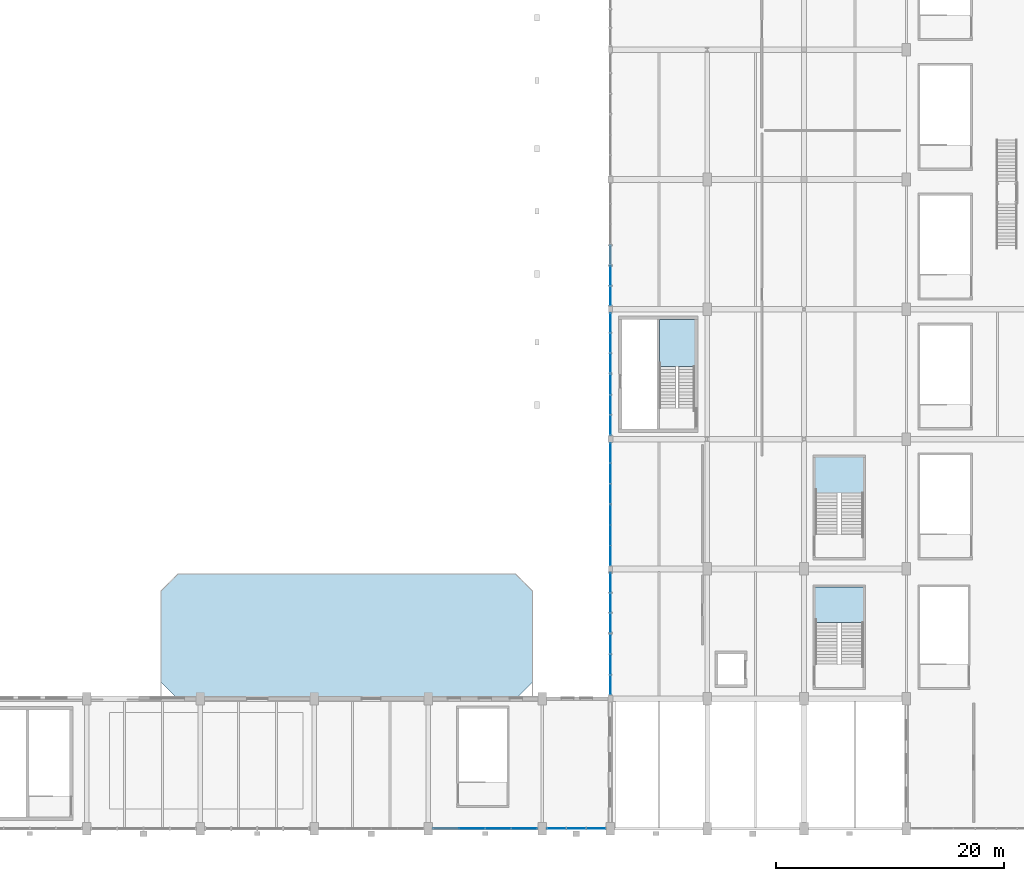
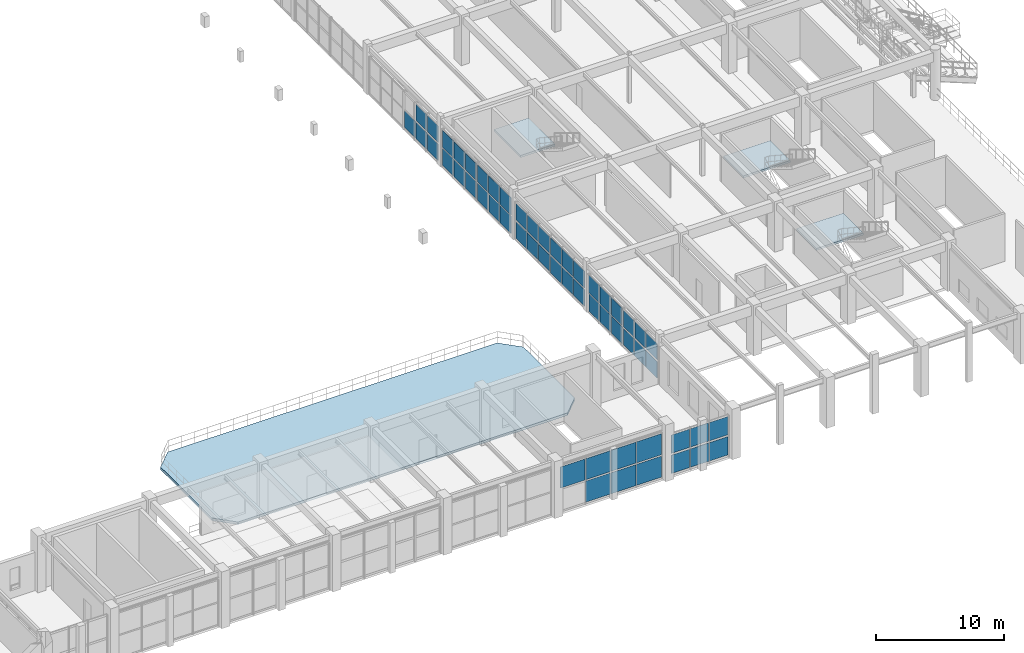
# One storey, part 70 of 106: 54 plates, 4 slabs, 12 elements without a shape of their own.
"""IFC4 building model written with IfcOpenShell, lengths in metres."""

from ifc_helpers import new_model, si_unit, direction, frame, origin, origin_2d, place, context, subcontext, project, spatial, polyline, rectangle, outline, extrude, material, layer, layer_set, type_object, element, aggregate, save


model = new_model("IFC4")

# Units and contexts
model_context = context("Model", 3, precision=1e-05, world=origin(), true_north=direction((0.0, 1.0)))
body_context = subcontext(model_context, "Body", "Model", "MODEL_VIEW")
ifc_project = project(units=[si_unit("LENGTHUNIT", "METRE"), si_unit("AREAUNIT", "SQUARE_METRE"), si_unit("VOLUMEUNIT", "CUBIC_METRE"), si_unit("PLANEANGLEUNIT", "RADIAN"), si_unit("MASSUNIT", "GRAM", prefix="KILO"), si_unit("POWERUNIT", "WATT"), si_unit("THERMODYNAMICTEMPERATUREUNIT", "KELVIN")], contexts=[model_context])

# Site, building, storey
site_placement = place(None, origin())
site = spatial("IfcSite", under=ifc_project, at=site_placement, CompositionType="ELEMENT")
building_placement = place(site_placement, origin())
building = spatial("IfcBuilding", under=site, at=building_placement, Name="Kelmbourne Parkland Aquatics Centre", CompositionType="ELEMENT")
storey_placement = place(building_placement, frame((0.0, 0.0, 5.39990234375)))
storey = spatial("IfcBuildingStorey", under=building, at=storey_placement, Name="L01", CompositionType="ELEMENT", Elevation=5.39990234375)

# Curtain wall, plates
ifc_material_1 = material(Name="Thermally broken anodised aluminium framing", Category="aluminium")
ifc_layer_1 = layer(ifc_material_1, 0.179931640625)
ifc_layer_set_1 = layer_set([ifc_layer_1], Name="Thermally broken anodised aluminium framing")
curtain_wall_type_1 = type_object("IfcCurtainWallType", Name="CW-23", PredefinedType="NOTDEFINED", material=ifc_layer_set_1)
curtain_wall_1_placement = place(storey_placement, origin())
curtain_wall_1 = element("IfcCurtainWall", 1, at=curtain_wall_1_placement, inside=storey, type_object=curtain_wall_type_1, Name="Facade curtain wall CW-L01-167", PredefinedType="NOTDEFINED")
ifc_material_2 = material(Name="Double-glazed low-e laminated safety glass", Category="glass")
ifc_layer_2 = layer(ifc_material_2, 0.02392578125)
ifc_layer_set_2 = layer_set([ifc_layer_2], Name="Double-glazed low-e laminated safety glass")
plate_type_1 = type_object("IfcPlateType", Name="PL-CWP-1", PredefinedType="CURTAIN_PANEL", material=ifc_layer_set_2)
plate_1_placement = place(storey_placement, frame((97.279541015625, 0.800048828125, 2.090087890625), z_axis=(0.0, 0.0, 1.0), x_axis=(1.0, 0.0, 0.0)))
plate_1 = element("IfcPlate", 2, at=plate_1_placement, type_object=plate_type_1, Name="CW-L01-167 vision glazing 1-0", PredefinedType="CURTAIN_PANEL", context=body_context, shape_type="SweptSolid", body=[
    extrude(rectangle(XDim=1.647216796875, YDim=0.02392578125, at=origin_2d()), origin(), (0.0, 0.0, 1.0), 1.7451171875),
])
plate_2_placement = place(storey_placement, frame((99.0, 0.800048828125, 2.090087890625), z_axis=(0.0, 0.0, 1.0), x_axis=(1.0, 0.0, 0.0)))
plate_2 = element("IfcPlate", 3, at=plate_2_placement, type_object=plate_type_1, Name="CW-L01-167 vision glazing 1-1", PredefinedType="CURTAIN_PANEL", context=body_context, shape_type="SweptSolid", body=[
    extrude(rectangle(XDim=1.6474609375, YDim=0.02392578125, at=origin_2d()), origin(), (0.0, 0.0, 1.0), 1.7451171875),
])
plate_3_placement = place(storey_placement, frame((100.72021484375, 0.800048828125, 2.090087890625), z_axis=(0.0, 0.0, 1.0), x_axis=(1.0, 0.0, 0.0)))
plate_3 = element("IfcPlate", 4, at=plate_3_placement, type_object=plate_type_1, Name="CW-L01-167 vision glazing 1-2", PredefinedType="CURTAIN_PANEL", context=body_context, shape_type="SweptSolid", body=[
    extrude(rectangle(XDim=1.647216796875, YDim=0.02392578125, at=origin_2d()), origin(), (0.0, 0.0, 1.0), 1.7451171875),
])

ifc_layer_3 = layer(ifc_material_1, 0.179931640625)
ifc_layer_set_3 = layer_set([ifc_layer_3], Name="Thermally broken anodised aluminium framing")
curtain_wall_type_2 = type_object("IfcCurtainWallType", Name="CW-20", PredefinedType="NOTDEFINED", material=ifc_layer_set_3)
curtain_wall_2_placement = place(storey_placement, origin())
curtain_wall_2 = element("IfcCurtainWall", 5, at=curtain_wall_2_placement, inside=storey, type_object=curtain_wall_type_2, Name="Facade curtain wall CW-L01-188", PredefinedType="NOTDEFINED")
plate_4_placement = place(storey_placement, frame((102.0, 13.4375, 1.90673828125), z_axis=(0.0, 0.0, 1.0), x_axis=(0.0, 1.0, 0.0)))
plate_4 = element("IfcPlate", 6, at=plate_4_placement, type_object=plate_type_1, Name="CW-L01-188 vision glazing 1-0", PredefinedType="CURTAIN_PANEL", context=body_context, shape_type="SweptSolid", body=[
    extrude(rectangle(XDim=1.693115234375, YDim=0.02392578125, at=origin_2d()), origin(), (0.0, 0.0, 1.0), 1.5615234375),
])
plate_5_placement = place(storey_placement, frame((102.0, 15.21337890625, 1.90673828125), z_axis=(0.0, 0.0, 1.0), x_axis=(0.0, 1.0, 0.0)))
plate_5 = element("IfcPlate", 7, at=plate_5_placement, type_object=plate_type_1, Name="CW-L01-188 vision glazing 1-1", PredefinedType="CURTAIN_PANEL", context=body_context, shape_type="SweptSolid", body=[
    extrude(rectangle(XDim=1.693115234375, YDim=0.02392578125, at=origin_2d()), origin(), (0.0, 0.0, 1.0), 1.5615234375),
])
plate_6_placement = place(storey_placement, frame((102.0, 16.989501953125, 1.90673828125), z_axis=(0.0, 0.0, 1.0), x_axis=(0.0, 1.0, 0.0)))
plate_6 = element("IfcPlate", 8, at=plate_6_placement, type_object=plate_type_1, Name="CW-L01-188 vision glazing 1-2", PredefinedType="CURTAIN_PANEL", context=body_context, shape_type="SweptSolid", body=[
    extrude(rectangle(XDim=1.693115234375, YDim=0.02392578125, at=origin_2d()), origin(), (0.0, 0.0, 1.0), 1.5615234375),
])

ifc_layer_4 = layer(ifc_material_1, 0.179931640625)
ifc_layer_set_4 = layer_set([ifc_layer_4], Name="Thermally broken anodised aluminium framing")
curtain_wall_type_3 = type_object("IfcCurtainWallType", Name="CW-21", PredefinedType="NOTDEFINED", material=ifc_layer_set_4)
curtain_wall_3_placement = place(storey_placement, origin())
curtain_wall_3 = element("IfcCurtainWall", 9, at=curtain_wall_3_placement, inside=storey, type_object=curtain_wall_type_3, Name="Facade curtain wall CW-L01-189", PredefinedType="NOTDEFINED")
plate_7_placement = place(storey_placement, frame((102.0, 18.86376953125, 0.1171875), z_axis=(0.0, 0.0, 1.0), x_axis=(0.0, 1.0, 0.0)))
plate_7 = element("IfcPlate", 10, at=plate_7_placement, type_object=plate_type_1, Name="CW-L01-189 vision glazing 0-0", PredefinedType="CURTAIN_PANEL", context=body_context, shape_type="SweptSolid", body=[
    extrude(rectangle(XDim=1.6796875, YDim=0.02392578125, at=origin_2d()), origin(), (0.0, 0.0, 1.0), 1.651611328125),
])
plate_8_placement = place(storey_placement, frame((102.0, 20.636474609375, 0.1171875), z_axis=(0.0, 0.0, 1.0), x_axis=(0.0, 1.0, 0.0)))
plate_8 = element("IfcPlate", 11, at=plate_8_placement, type_object=plate_type_1, Name="CW-L01-189 vision glazing 0-1", PredefinedType="CURTAIN_PANEL", context=body_context, shape_type="SweptSolid", body=[
    extrude(rectangle(XDim=1.6796875, YDim=0.02392578125, at=origin_2d()), origin(), (0.0, 0.0, 1.0), 1.651611328125),
])
plate_9_placement = place(storey_placement, frame((102.0, 22.4091796875, 0.1171875), z_axis=(0.0, 0.0, 1.0), x_axis=(0.0, 1.0, 0.0)))
plate_9 = element("IfcPlate", 12, at=plate_9_placement, type_object=plate_type_1, Name="CW-L01-189 vision glazing 0-2", PredefinedType="CURTAIN_PANEL", context=body_context, shape_type="SweptSolid", body=[
    extrude(rectangle(XDim=1.6796875, YDim=0.02392578125, at=origin_2d()), origin(), (0.0, 0.0, 1.0), 1.651611328125),
])

curtain_wall_4_placement = place(storey_placement, origin())
curtain_wall_4 = element("IfcCurtainWall", 13, at=curtain_wall_4_placement, inside=storey, type_object=curtain_wall_type_1, Name="Facade curtain wall CW-L01-191", PredefinedType="NOTDEFINED")
plate_10_placement = place(storey_placement, frame((102.0, 30.203857421875, 1.90673828125), z_axis=(0.0, 0.0, 1.0), x_axis=(0.0, 1.0, 0.0)))
plate_10 = element("IfcPlate", 14, at=plate_10_placement, type_object=plate_type_1, Name="CW-L01-191 vision glazing 1-0", PredefinedType="CURTAIN_PANEL", context=body_context, shape_type="SweptSolid", body=[
    extrude(rectangle(XDim=1.7197265625, YDim=0.02392578125, at=origin_2d()), origin(), (0.0, 0.0, 1.0), 1.5615234375),
])
plate_11_placement = place(storey_placement, frame((102.0, 31.986572265625, 1.90673828125), z_axis=(0.0, 0.0, 1.0), x_axis=(0.0, 1.0, 0.0)))
plate_11 = element("IfcPlate", 15, at=plate_11_placement, type_object=plate_type_1, Name="CW-L01-191 vision glazing 1-1", PredefinedType="CURTAIN_PANEL", context=body_context, shape_type="SweptSolid", body=[
    extrude(rectangle(XDim=1.719482421875, YDim=0.02392578125, at=origin_2d()), origin(), (0.0, 0.0, 1.0), 1.5615234375),
])
plate_12_placement = place(storey_placement, frame((102.0, 33.76904296875, 1.90673828125), z_axis=(0.0, 0.0, 1.0), x_axis=(0.0, 1.0, 0.0)))
plate_12 = element("IfcPlate", 16, at=plate_12_placement, type_object=plate_type_1, Name="CW-L01-191 vision glazing 1-2", PredefinedType="CURTAIN_PANEL", context=body_context, shape_type="SweptSolid", body=[
    extrude(rectangle(XDim=1.7197265625, YDim=0.02392578125, at=origin_2d()), origin(), (0.0, 0.0, 1.0), 1.5615234375),
])

ifc_layer_5 = layer(ifc_material_1, 0.179931640625)
ifc_layer_set_5 = layer_set([ifc_layer_5], Name="Thermally broken anodised aluminium framing")
curtain_wall_type_4 = type_object("IfcCurtainWallType", Name="CW-24", PredefinedType="NOTDEFINED", material=ifc_layer_set_5)
curtain_wall_5_placement = place(storey_placement, origin())
curtain_wall_5 = element("IfcCurtainWall", 17, at=curtain_wall_5_placement, inside=storey, type_object=curtain_wall_type_4, Name="Facade curtain wall CW-L01-192", PredefinedType="NOTDEFINED")
plate_13_placement = place(storey_placement, frame((102.0, 36.234130859375, 0.1171875), z_axis=(0.0, 0.0, 1.0), x_axis=(0.0, 1.0, 0.0)))
plate_13 = element("IfcPlate", 18, at=plate_13_placement, type_object=plate_type_1, Name="CW-L01-192 vision glazing 0-0", PredefinedType="CURTAIN_PANEL", context=body_context, shape_type="SweptSolid", body=[
    extrude(rectangle(XDim=1.706298828125, YDim=0.02392578125, at=origin_2d()), origin(), (0.0, 0.0, 1.0), 1.651611328125),
])
plate_14_placement = place(storey_placement, frame((102.0, 38.013427734375, 0.1171875), z_axis=(0.0, 0.0, 1.0), x_axis=(0.0, 1.0, 0.0)))
plate_14 = element("IfcPlate", 19, at=plate_14_placement, type_object=plate_type_1, Name="CW-L01-192 vision glazing 0-1", PredefinedType="CURTAIN_PANEL", context=body_context, shape_type="SweptSolid", body=[
    extrude(rectangle(XDim=1.706298828125, YDim=0.02392578125, at=origin_2d()), origin(), (0.0, 0.0, 1.0), 1.651611328125),
])
plate_15_placement = place(storey_placement, frame((102.0, 39.79296875, 0.1171875), z_axis=(0.0, 0.0, 1.0), x_axis=(0.0, 1.0, 0.0)))
plate_15 = element("IfcPlate", 20, at=plate_15_placement, type_object=plate_type_1, Name="CW-L01-192 vision glazing 0-2", PredefinedType="CURTAIN_PANEL", context=body_context, shape_type="SweptSolid", body=[
    extrude(rectangle(XDim=1.706298828125, YDim=0.02392578125, at=origin_2d()), origin(), (0.0, 0.0, 1.0), 1.651611328125),
])

ifc_layer_6 = layer(ifc_material_1, 0.179931640625)
ifc_layer_set_6 = layer_set([ifc_layer_6], Name="Thermally broken anodised aluminium framing")
curtain_wall_type_5 = type_object("IfcCurtainWallType", Name="CW-02", PredefinedType="NOTDEFINED", material=ifc_layer_set_6)
curtain_wall_6_placement = place(storey_placement, origin())
curtain_wall_6 = element("IfcCurtainWall", 21, at=curtain_wall_6_placement, inside=storey, type_object=curtain_wall_type_5, Name="Facade curtain wall CW-L01-194", PredefinedType="NOTDEFINED")
plate_16_placement = place(storey_placement, frame((102.0, 47.5908203125, 1.90673828125), z_axis=(0.0, 0.0, 1.0), x_axis=(0.0, 1.0, 0.0)))
plate_16 = element("IfcPlate", 22, at=plate_16_placement, type_object=plate_type_1, Name="CW-L01-194 vision glazing 1-0", PredefinedType="CURTAIN_PANEL", context=body_context, shape_type="SweptSolid", body=[
    extrude(rectangle(XDim=1.6796875, YDim=0.02392578125, at=origin_2d()), origin(), (0.0, 0.0, 1.0), 1.5615234375),
])
plate_17_placement = place(storey_placement, frame((102.0, 49.363525390625, 1.90673828125), z_axis=(0.0, 0.0, 1.0), x_axis=(0.0, 1.0, 0.0)))
plate_17 = element("IfcPlate", 23, at=plate_17_placement, type_object=plate_type_1, Name="CW-L01-194 vision glazing 1-1", PredefinedType="CURTAIN_PANEL", context=body_context, shape_type="SweptSolid", body=[
    extrude(rectangle(XDim=1.6796875, YDim=0.02392578125, at=origin_2d()), origin(), (0.0, 0.0, 1.0), 1.5615234375),
])

ifc_layer_7 = layer(ifc_material_1, 0.179931640625)
ifc_layer_set_7 = layer_set([ifc_layer_7], Name="Thermally broken anodised aluminium framing")
curtain_wall_type_6 = type_object("IfcCurtainWallType", Name="CW-22", PredefinedType="NOTDEFINED", material=ifc_layer_set_7)
curtain_wall_7_placement = place(storey_placement, origin())
curtain_wall_7 = element("IfcCurtainWall", 24, at=curtain_wall_7_placement, inside=storey, type_object=curtain_wall_type_6, Name="Facade curtain wall CW-L01-166", PredefinedType="NOTDEFINED")
ifc_layer_8 = layer(ifc_material_2, 0.035888671875)
ifc_layer_set_8 = layer_set([ifc_layer_8], Name="Double-glazed low-e laminated safety glass")
plate_type_2 = type_object("IfcPlateType", Name="PL-CWP-2", PredefinedType="CURTAIN_PANEL", material=ifc_layer_set_8)
plate_18_placement = place(storey_placement, frame((89.853759765625, 0.800048828125, 0.14697265625), z_axis=(0.0, 0.0, 1.0), x_axis=(1.0, 0.0, 0.0)))
plate_18 = element("IfcPlate", 25, at=plate_18_placement, type_object=plate_type_2, Name="CW-L01-166 vision glazing 0-1", PredefinedType="CURTAIN_PANEL", context=body_context, shape_type="SweptSolid", body=[
    extrude(rectangle(XDim=2.229736328125, YDim=0.035888671875, at=origin_2d()), origin(), (0.0, 0.0, 1.0), 2.006591796875),
])
plate_19_placement = place(storey_placement, frame((92.146484375, 0.800048828125, 0.14697265625), z_axis=(0.0, 0.0, 1.0), x_axis=(1.0, 0.0, 0.0)))
plate_19 = element("IfcPlate", 26, at=plate_19_placement, type_object=plate_type_2, Name="CW-L01-166 vision glazing 0-2", PredefinedType="CURTAIN_PANEL", context=body_context, shape_type="SweptSolid", body=[
    extrude(rectangle(XDim=2.229736328125, YDim=0.035888671875, at=origin_2d()), origin(), (0.0, 0.0, 1.0), 2.006591796875),
])
plate_20_placement = place(storey_placement, frame((94.439208984375, 0.800048828125, 0.14697265625), z_axis=(0.0, 0.0, 1.0), x_axis=(1.0, 0.0, 0.0)))
plate_20 = element("IfcPlate", 27, at=plate_20_placement, type_object=plate_type_2, Name="CW-L01-166 vision glazing 0-3", PredefinedType="CURTAIN_PANEL", context=body_context, shape_type="SweptSolid", body=[
    extrude(rectangle(XDim=2.229736328125, YDim=0.035888671875, at=origin_2d()), origin(), (0.0, 0.0, 1.0), 2.006591796875),
])

# Plate
plate_21_placement = place(storey_placement, frame((102.0, 18.86376953125, 1.87646484375), z_axis=(0.0, 0.0, 1.0), x_axis=(0.0, 1.0, 0.0)))
plate_21 = element("IfcPlate", 28, at=plate_21_placement, type_object=plate_type_2, Name="CW-L01-189 vision glazing 1-0", PredefinedType="CURTAIN_PANEL", context=body_context, shape_type="SweptSolid", body=[
    extrude(rectangle(XDim=1.6796875, YDim=0.035888671875, at=origin_2d()), origin(), (0.0, 0.0, 1.0), 1.651611328125),
])

plate_22_placement = place(storey_placement, frame((102.0, 20.636474609375, 1.87646484375), z_axis=(0.0, 0.0, 1.0), x_axis=(0.0, 1.0, 0.0)))
plate_22 = element("IfcPlate", 29, at=plate_22_placement, type_object=plate_type_2, Name="CW-L01-189 vision glazing 1-1", PredefinedType="CURTAIN_PANEL", context=body_context, shape_type="SweptSolid", body=[
    extrude(rectangle(XDim=1.6796875, YDim=0.035888671875, at=origin_2d()), origin(), (0.0, 0.0, 1.0), 1.651611328125),
])

plate_23_placement = place(storey_placement, frame((102.0, 22.4091796875, 1.87646484375), z_axis=(0.0, 0.0, 1.0), x_axis=(0.0, 1.0, 0.0)))
plate_23 = element("IfcPlate", 30, at=plate_23_placement, type_object=plate_type_2, Name="CW-L01-189 vision glazing 1-2", PredefinedType="CURTAIN_PANEL", context=body_context, shape_type="SweptSolid", body=[
    extrude(rectangle(XDim=1.6796875, YDim=0.035888671875, at=origin_2d()), origin(), (0.0, 0.0, 1.0), 1.651611328125),
])

aggregate(curtain_wall_3, [plate_7, plate_8, plate_9, plate_21, plate_22, plate_23])

# Curtain wall, plates
curtain_wall_8_placement = place(storey_placement, origin())
curtain_wall_8 = element("IfcCurtainWall", 31, at=curtain_wall_8_placement, inside=storey, type_object=curtain_wall_type_6, Name="Facade curtain wall CW-L01-190", PredefinedType="NOTDEFINED")
plate_24_placement = place(storey_placement, frame((102.0, 24.777587890625, 0.14697265625), z_axis=(0.0, 0.0, 1.0), x_axis=(0.0, 1.0, 0.0)))
plate_24 = element("IfcPlate", 32, at=plate_24_placement, type_object=plate_type_2, Name="CW-L01-190 vision glazing 0-0", PredefinedType="CURTAIN_PANEL", context=body_context, shape_type="SweptSolid", body=[
    extrude(rectangle(XDim=1.73291015625, YDim=0.035888671875, at=origin_2d()), origin(), (0.0, 0.0, 1.0), 1.6064453125),
])
plate_25_placement = place(storey_placement, frame((102.0, 26.5634765625, 0.14697265625), z_axis=(0.0, 0.0, 1.0), x_axis=(0.0, 1.0, 0.0)))
plate_25 = element("IfcPlate", 33, at=plate_25_placement, type_object=plate_type_2, Name="CW-L01-190 vision glazing 0-1", PredefinedType="CURTAIN_PANEL", context=body_context, shape_type="SweptSolid", body=[
    extrude(rectangle(XDim=1.73291015625, YDim=0.035888671875, at=origin_2d()), origin(), (0.0, 0.0, 1.0), 1.6064453125),
])
plate_26_placement = place(storey_placement, frame((102.0, 28.349609375, 0.14697265625), z_axis=(0.0, 0.0, 1.0), x_axis=(0.0, 1.0, 0.0)))
plate_26 = element("IfcPlate", 34, at=plate_26_placement, type_object=plate_type_2, Name="CW-L01-190 vision glazing 0-2", PredefinedType="CURTAIN_PANEL", context=body_context, shape_type="SweptSolid", body=[
    extrude(rectangle(XDim=1.73291015625, YDim=0.035888671875, at=origin_2d()), origin(), (0.0, 0.0, 1.0), 1.6064453125),
])

# Plate
plate_27_placement = place(storey_placement, frame((102.0, 36.234130859375, 1.87646484375), z_axis=(0.0, 0.0, 1.0), x_axis=(0.0, 1.0, 0.0)))
plate_27 = element("IfcPlate", 35, at=plate_27_placement, type_object=plate_type_2, Name="CW-L01-192 vision glazing 1-0", PredefinedType="CURTAIN_PANEL", context=body_context, shape_type="SweptSolid", body=[
    extrude(rectangle(XDim=1.706298828125, YDim=0.035888671875, at=origin_2d()), origin(), (0.0, 0.0, 1.0), 1.651611328125),
])

plate_28_placement = place(storey_placement, frame((102.0, 38.013427734375, 1.87646484375), z_axis=(0.0, 0.0, 1.0), x_axis=(0.0, 1.0, 0.0)))
plate_28 = element("IfcPlate", 36, at=plate_28_placement, type_object=plate_type_2, Name="CW-L01-192 vision glazing 1-1", PredefinedType="CURTAIN_PANEL", context=body_context, shape_type="SweptSolid", body=[
    extrude(rectangle(XDim=1.706298828125, YDim=0.035888671875, at=origin_2d()), origin(), (0.0, 0.0, 1.0), 1.651611328125),
])

plate_29_placement = place(storey_placement, frame((102.0, 39.79296875, 1.87646484375), z_axis=(0.0, 0.0, 1.0), x_axis=(0.0, 1.0, 0.0)))
plate_29 = element("IfcPlate", 37, at=plate_29_placement, type_object=plate_type_2, Name="CW-L01-192 vision glazing 1-2", PredefinedType="CURTAIN_PANEL", context=body_context, shape_type="SweptSolid", body=[
    extrude(rectangle(XDim=1.706298828125, YDim=0.035888671875, at=origin_2d()), origin(), (0.0, 0.0, 1.0), 1.651611328125),
])

aggregate(curtain_wall_5, [plate_13, plate_14, plate_15, plate_27, plate_28, plate_29])

# Curtain wall, plates
ifc_layer_9 = layer(ifc_material_1, 0.179931640625)
ifc_layer_set_9 = layer_set([ifc_layer_9], Name="Thermally broken anodised aluminium framing")
curtain_wall_type_7 = type_object("IfcCurtainWallType", Name="CW-01", PredefinedType="NOTDEFINED", material=ifc_layer_set_9)
curtain_wall_9_placement = place(storey_placement, origin())
curtain_wall_9 = element("IfcCurtainWall", 38, at=curtain_wall_9_placement, inside=storey, type_object=curtain_wall_type_7, Name="Facade curtain wall CW-L01-193", PredefinedType="NOTDEFINED")
plate_30_placement = place(storey_placement, frame((102.0, 41.660400390625, 0.14697265625), z_axis=(0.0, 0.0, 1.0), x_axis=(0.0, 1.0, 0.0)))
plate_30 = element("IfcPlate", 39, at=plate_30_placement, type_object=plate_type_2, Name="CW-L01-193 vision glazing 0-0", PredefinedType="CURTAIN_PANEL", context=body_context, shape_type="SweptSolid", body=[
    extrude(rectangle(XDim=1.693115234375, YDim=0.035888671875, at=origin_2d()), origin(), (0.0, 0.0, 1.0), 1.6064453125),
])
plate_31_placement = place(storey_placement, frame((102.0, 43.4365234375, 0.14697265625), z_axis=(0.0, 0.0, 1.0), x_axis=(0.0, 1.0, 0.0)))
plate_31 = element("IfcPlate", 40, at=plate_31_placement, type_object=plate_type_2, Name="CW-L01-193 vision glazing 0-1", PredefinedType="CURTAIN_PANEL", context=body_context, shape_type="SweptSolid", body=[
    extrude(rectangle(XDim=1.693115234375, YDim=0.035888671875, at=origin_2d()), origin(), (0.0, 0.0, 1.0), 1.6064453125),
])
plate_32_placement = place(storey_placement, frame((102.0, 45.21240234375, 0.14697265625), z_axis=(0.0, 0.0, 1.0), x_axis=(0.0, 1.0, 0.0)))
plate_32 = element("IfcPlate", 41, at=plate_32_placement, type_object=plate_type_2, Name="CW-L01-193 vision glazing 0-2", PredefinedType="CURTAIN_PANEL", context=body_context, shape_type="SweptSolid", body=[
    extrude(rectangle(XDim=1.693115234375, YDim=0.035888671875, at=origin_2d()), origin(), (0.0, 0.0, 1.0), 1.6064453125),
])

# Plate
ifc_layer_10 = layer(ifc_material_2, 0.048095703125)
ifc_layer_set_10 = layer_set([ifc_layer_10], Name="Double-glazed low-e laminated safety glass")
plate_type_3 = type_object("IfcPlateType", Name="PL-CWP-3", PredefinedType="CURTAIN_PANEL", material=ifc_layer_set_10)
plate_33_placement = place(storey_placement, frame((87.560791015625, 0.800048828125, 2.29150390625), z_axis=(0.0, 0.0, 1.0), x_axis=(1.0, 0.0, 0.0)))
plate_33 = element("IfcPlate", 42, at=plate_33_placement, type_object=plate_type_3, Name="CW-L01-166 vision glazing 1-0", PredefinedType="CURTAIN_PANEL", context=body_context, shape_type="SweptSolid", body=[
    extrude(rectangle(XDim=2.229736328125, YDim=0.048095703125, at=origin_2d()), origin(), (0.0, 0.0, 1.0), 2.006591796875),
])

plate_34_placement = place(storey_placement, frame((89.853759765625, 0.800048828125, 2.29150390625), z_axis=(0.0, 0.0, 1.0), x_axis=(1.0, 0.0, 0.0)))
plate_34 = element("IfcPlate", 43, at=plate_34_placement, type_object=plate_type_3, Name="CW-L01-166 vision glazing 1-1", PredefinedType="CURTAIN_PANEL", context=body_context, shape_type="SweptSolid", body=[
    extrude(rectangle(XDim=2.229736328125, YDim=0.048095703125, at=origin_2d()), origin(), (0.0, 0.0, 1.0), 2.006591796875),
])

plate_35_placement = place(storey_placement, frame((92.146484375, 0.800048828125, 2.29150390625), z_axis=(0.0, 0.0, 1.0), x_axis=(1.0, 0.0, 0.0)))
plate_35 = element("IfcPlate", 44, at=plate_35_placement, type_object=plate_type_3, Name="CW-L01-166 vision glazing 1-2", PredefinedType="CURTAIN_PANEL", context=body_context, shape_type="SweptSolid", body=[
    extrude(rectangle(XDim=2.229736328125, YDim=0.048095703125, at=origin_2d()), origin(), (0.0, 0.0, 1.0), 2.006591796875),
])

plate_36_placement = place(storey_placement, frame((94.439208984375, 0.800048828125, 2.29150390625), z_axis=(0.0, 0.0, 1.0), x_axis=(1.0, 0.0, 0.0)))
plate_36 = element("IfcPlate", 45, at=plate_36_placement, type_object=plate_type_3, Name="CW-L01-166 vision glazing 1-3", PredefinedType="CURTAIN_PANEL", context=body_context, shape_type="SweptSolid", body=[
    extrude(rectangle(XDim=2.229736328125, YDim=0.048095703125, at=origin_2d()), origin(), (0.0, 0.0, 1.0), 2.006591796875),
])

aggregate(curtain_wall_7, [plate_18, plate_19, plate_20, plate_33, plate_34, plate_35, plate_36])

plate_37_placement = place(storey_placement, frame((97.279541015625, 0.800048828125, 0.177001953125), z_axis=(0.0, 0.0, 1.0), x_axis=(1.0, 0.0, 0.0)))
plate_37 = element("IfcPlate", 46, at=plate_37_placement, type_object=plate_type_3, Name="CW-L01-167 vision glazing 0-0", PredefinedType="CURTAIN_PANEL", context=body_context, shape_type="SweptSolid", body=[
    extrude(rectangle(XDim=1.647216796875, YDim=0.048095703125, at=origin_2d()), origin(), (0.0, 0.0, 1.0), 1.7451171875),
])

plate_38_placement = place(storey_placement, frame((99.0, 0.800048828125, 0.177001953125), z_axis=(0.0, 0.0, 1.0), x_axis=(1.0, 0.0, 0.0)))
plate_38 = element("IfcPlate", 47, at=plate_38_placement, type_object=plate_type_3, Name="CW-L01-167 vision glazing 0-1", PredefinedType="CURTAIN_PANEL", context=body_context, shape_type="SweptSolid", body=[
    extrude(rectangle(XDim=1.6474609375, YDim=0.048095703125, at=origin_2d()), origin(), (0.0, 0.0, 1.0), 1.7451171875),
])

plate_39_placement = place(storey_placement, frame((100.72021484375, 0.800048828125, 0.177001953125), z_axis=(0.0, 0.0, 1.0), x_axis=(1.0, 0.0, 0.0)))
plate_39 = element("IfcPlate", 48, at=plate_39_placement, type_object=plate_type_3, Name="CW-L01-167 vision glazing 0-2", PredefinedType="CURTAIN_PANEL", context=body_context, shape_type="SweptSolid", body=[
    extrude(rectangle(XDim=1.647216796875, YDim=0.048095703125, at=origin_2d()), origin(), (0.0, 0.0, 1.0), 1.7451171875),
])

aggregate(curtain_wall_1, [plate_37, plate_38, plate_39, plate_1, plate_2, plate_3])

plate_40_placement = place(storey_placement, frame((102.0, 13.4375, 0.17724609375), z_axis=(0.0, 0.0, 1.0), x_axis=(0.0, 1.0, 0.0)))
plate_40 = element("IfcPlate", 49, at=plate_40_placement, type_object=plate_type_3, Name="CW-L01-188 vision glazing 0-0", PredefinedType="CURTAIN_PANEL", context=body_context, shape_type="SweptSolid", body=[
    extrude(rectangle(XDim=1.693115234375, YDim=0.048095703125, at=origin_2d()), origin(), (0.0, 0.0, 1.0), 1.5615234375),
])

plate_41_placement = place(storey_placement, frame((102.0, 15.21337890625, 0.17724609375), z_axis=(0.0, 0.0, 1.0), x_axis=(0.0, 1.0, 0.0)))
plate_41 = element("IfcPlate", 50, at=plate_41_placement, type_object=plate_type_3, Name="CW-L01-188 vision glazing 0-1", PredefinedType="CURTAIN_PANEL", context=body_context, shape_type="SweptSolid", body=[
    extrude(rectangle(XDim=1.693115234375, YDim=0.048095703125, at=origin_2d()), origin(), (0.0, 0.0, 1.0), 1.5615234375),
])

plate_42_placement = place(storey_placement, frame((102.0, 16.989501953125, 0.17724609375), z_axis=(0.0, 0.0, 1.0), x_axis=(0.0, 1.0, 0.0)))
plate_42 = element("IfcPlate", 51, at=plate_42_placement, type_object=plate_type_3, Name="CW-L01-188 vision glazing 0-2", PredefinedType="CURTAIN_PANEL", context=body_context, shape_type="SweptSolid", body=[
    extrude(rectangle(XDim=1.693115234375, YDim=0.048095703125, at=origin_2d()), origin(), (0.0, 0.0, 1.0), 1.5615234375),
])

aggregate(curtain_wall_2, [plate_40, plate_41, plate_42, plate_4, plate_5, plate_6])

plate_43_placement = place(storey_placement, frame((102.0, 24.777587890625, 1.8916015625), z_axis=(0.0, 0.0, 1.0), x_axis=(0.0, 1.0, 0.0)))
plate_43 = element("IfcPlate", 52, at=plate_43_placement, type_object=plate_type_3, Name="CW-L01-190 vision glazing 1-0", PredefinedType="CURTAIN_PANEL", context=body_context, shape_type="SweptSolid", body=[
    extrude(rectangle(XDim=1.73291015625, YDim=0.048095703125, at=origin_2d()), origin(), (0.0, 0.0, 1.0), 1.6064453125),
])

plate_44_placement = place(storey_placement, frame((102.0, 26.5634765625, 1.8916015625), z_axis=(0.0, 0.0, 1.0), x_axis=(0.0, 1.0, 0.0)))
plate_44 = element("IfcPlate", 53, at=plate_44_placement, type_object=plate_type_3, Name="CW-L01-190 vision glazing 1-1", PredefinedType="CURTAIN_PANEL", context=body_context, shape_type="SweptSolid", body=[
    extrude(rectangle(XDim=1.73291015625, YDim=0.048095703125, at=origin_2d()), origin(), (0.0, 0.0, 1.0), 1.6064453125),
])

plate_45_placement = place(storey_placement, frame((102.0, 28.349609375, 1.8916015625), z_axis=(0.0, 0.0, 1.0), x_axis=(0.0, 1.0, 0.0)))
plate_45 = element("IfcPlate", 54, at=plate_45_placement, type_object=plate_type_3, Name="CW-L01-190 vision glazing 1-2", PredefinedType="CURTAIN_PANEL", context=body_context, shape_type="SweptSolid", body=[
    extrude(rectangle(XDim=1.73291015625, YDim=0.048095703125, at=origin_2d()), origin(), (0.0, 0.0, 1.0), 1.6064453125),
])

aggregate(curtain_wall_8, [plate_24, plate_25, plate_26, plate_43, plate_44, plate_45])

plate_46_placement = place(storey_placement, frame((102.0, 30.203857421875, 0.17724609375), z_axis=(0.0, 0.0, 1.0), x_axis=(0.0, 1.0, 0.0)))
plate_46 = element("IfcPlate", 55, at=plate_46_placement, type_object=plate_type_3, Name="CW-L01-191 vision glazing 0-0", PredefinedType="CURTAIN_PANEL", context=body_context, shape_type="SweptSolid", body=[
    extrude(rectangle(XDim=1.7197265625, YDim=0.048095703125, at=origin_2d()), origin(), (0.0, 0.0, 1.0), 1.5615234375),
])

plate_47_placement = place(storey_placement, frame((102.0, 31.986572265625, 0.17724609375), z_axis=(0.0, 0.0, 1.0), x_axis=(0.0, 1.0, 0.0)))
plate_47 = element("IfcPlate", 56, at=plate_47_placement, type_object=plate_type_3, Name="CW-L01-191 vision glazing 0-1", PredefinedType="CURTAIN_PANEL", context=body_context, shape_type="SweptSolid", body=[
    extrude(rectangle(XDim=1.719482421875, YDim=0.048095703125, at=origin_2d()), origin(), (0.0, 0.0, 1.0), 1.5615234375),
])

plate_48_placement = place(storey_placement, frame((102.0, 33.76904296875, 0.17724609375), z_axis=(0.0, 0.0, 1.0), x_axis=(0.0, 1.0, 0.0)))
plate_48 = element("IfcPlate", 57, at=plate_48_placement, type_object=plate_type_3, Name="CW-L01-191 vision glazing 0-2", PredefinedType="CURTAIN_PANEL", context=body_context, shape_type="SweptSolid", body=[
    extrude(rectangle(XDim=1.7197265625, YDim=0.048095703125, at=origin_2d()), origin(), (0.0, 0.0, 1.0), 1.5615234375),
])

aggregate(curtain_wall_4, [plate_46, plate_47, plate_48, plate_10, plate_11, plate_12])

plate_49_placement = place(storey_placement, frame((102.0, 41.660400390625, 1.8916015625), z_axis=(0.0, 0.0, 1.0), x_axis=(0.0, 1.0, 0.0)))
plate_49 = element("IfcPlate", 58, at=plate_49_placement, type_object=plate_type_3, Name="CW-L01-193 vision glazing 1-0", PredefinedType="CURTAIN_PANEL", context=body_context, shape_type="SweptSolid", body=[
    extrude(rectangle(XDim=1.693115234375, YDim=0.048095703125, at=origin_2d()), origin(), (0.0, 0.0, 1.0), 1.6064453125),
])

plate_50_placement = place(storey_placement, frame((102.0, 43.4365234375, 1.8916015625), z_axis=(0.0, 0.0, 1.0), x_axis=(0.0, 1.0, 0.0)))
plate_50 = element("IfcPlate", 59, at=plate_50_placement, type_object=plate_type_3, Name="CW-L01-193 vision glazing 1-1", PredefinedType="CURTAIN_PANEL", context=body_context, shape_type="SweptSolid", body=[
    extrude(rectangle(XDim=1.693115234375, YDim=0.048095703125, at=origin_2d()), origin(), (0.0, 0.0, 1.0), 1.6064453125),
])

plate_51_placement = place(storey_placement, frame((102.0, 45.21240234375, 1.8916015625), z_axis=(0.0, 0.0, 1.0), x_axis=(0.0, 1.0, 0.0)))
plate_51 = element("IfcPlate", 60, at=plate_51_placement, type_object=plate_type_3, Name="CW-L01-193 vision glazing 1-2", PredefinedType="CURTAIN_PANEL", context=body_context, shape_type="SweptSolid", body=[
    extrude(rectangle(XDim=1.693115234375, YDim=0.048095703125, at=origin_2d()), origin(), (0.0, 0.0, 1.0), 1.6064453125),
])

aggregate(curtain_wall_9, [plate_30, plate_31, plate_32, plate_49, plate_50, plate_51])

plate_52_placement = place(storey_placement, frame((102.0, 47.5908203125, 0.17724609375), z_axis=(0.0, 0.0, 1.0), x_axis=(0.0, 1.0, 0.0)))
plate_52 = element("IfcPlate", 61, at=plate_52_placement, type_object=plate_type_3, Name="CW-L01-194 vision glazing 0-0", PredefinedType="CURTAIN_PANEL", context=body_context, shape_type="SweptSolid", body=[
    extrude(rectangle(XDim=1.6796875, YDim=0.048095703125, at=origin_2d()), origin(), (0.0, 0.0, 1.0), 1.5615234375),
])

plate_53_placement = place(storey_placement, frame((102.0, 49.363525390625, 0.17724609375), z_axis=(0.0, 0.0, 1.0), x_axis=(0.0, 1.0, 0.0)))
plate_53 = element("IfcPlate", 62, at=plate_53_placement, type_object=plate_type_3, Name="CW-L01-194 vision glazing 0-1", PredefinedType="CURTAIN_PANEL", context=body_context, shape_type="SweptSolid", body=[
    extrude(rectangle(XDim=1.6796875, YDim=0.048095703125, at=origin_2d()), origin(), (0.0, 0.0, 1.0), 1.5615234375),
])

plate_54_placement = place(storey_placement, frame((102.0, 51.13623046875, 0.17724609375), z_axis=(0.0, 0.0, 1.0), x_axis=(0.0, 1.0, 0.0)))
plate_54 = element("IfcPlate", 63, at=plate_54_placement, type_object=plate_type_3, Name="CW-L01-194 vision glazing 0-2", PredefinedType="CURTAIN_PANEL", context=body_context, shape_type="SweptSolid", body=[
    extrude(rectangle(XDim=1.6796875, YDim=0.048095703125, at=origin_2d()), origin(), (0.0, 0.0, 1.0), 1.5615234375),
])

aggregate(curtain_wall_6, [plate_52, plate_53, plate_54, plate_16, plate_17])

# Stair, slab
ifc_material_3 = material(Name="Concrete C40/50", Category="concrete")
stair_type_1 = type_object("IfcStairType", Name="ST-T14", PredefinedType="HALF_TURN_STAIR", material=ifc_material_3)
stair_1_placement = place(storey_placement, origin())
stair_1 = element("IfcStair", 64, at=stair_1_placement, inside=storey, type_object=stair_type_1, Name="East Spine Club and Village Core Stair ST04 (L01)", PredefinedType="HALF_TURN_STAIR")
ifc_layer_11 = layer(ifc_material_3, 0.199951171875)
ifc_layer_set_11 = layer_set([ifc_layer_11], Name="Concrete C40/50")
slab_type_1 = type_object("IfcSlabType", Name="SL-LND-20", PredefinedType="LANDING", material=ifc_layer_set_11)
slab_1_placement = place(storey_placement, frame((0.0, 0.0, 2.2001953125)))
slab_1 = element("IfcSlab", 65, at=slab_1_placement, type_object=slab_type_1, Name="East Spine Club and Village Core Stair ST04 half-landing (L01)", PredefinedType="LANDING", context=body_context, shape_type="SweptSolid", body=[
    extrude(outline(polyline([(106.304931640625, 41.389892578125), (109.419921875, 41.389892578125), (109.419921875, 45.52001953125), (106.304931640625, 45.52001953125), (106.304931640625, 41.389892578125)])), origin(), (0.0, 0.0, 1.0), 0.199951171875),
])
aggregate(stair_1, [slab_1])

stair_type_2 = type_object("IfcStairType", Name="ST-T32", PredefinedType="HALF_TURN_STAIR", material=ifc_material_3)
stair_2_placement = place(storey_placement, origin())
stair_2 = element("IfcStair", 66, at=stair_2_placement, inside=storey, type_object=stair_type_2, Name="South East Concourse Exit Stair (L01)", PredefinedType="HALF_TURN_STAIR")
slab_2_placement = place(storey_placement, frame((0.0, 0.0, 2.2001953125)))
slab_2 = element("IfcSlab", 67, at=slab_2_placement, type_object=slab_type_1, Name="South East Concourse Exit Stair half-landing (L01)", PredefinedType="LANDING", context=body_context, shape_type="SweptSolid", body=[
    extrude(outline(polyline([(119.97998046875, 18.889892578125), (124.219970703125, 18.889892578125), (124.219970703125, 22.02001953125), (119.97998046875, 22.02001953125), (119.97998046875, 18.889892578125)])), origin(), (0.0, 0.0, 1.0), 0.199951171875),
])
aggregate(stair_2, [slab_2])

stair_type_3 = type_object("IfcStairType", Name="ST-T39", PredefinedType="HALF_TURN_STAIR", material=ifc_material_3)
stair_3_placement = place(storey_placement, origin())
stair_3 = element("IfcStair", 68, at=stair_3_placement, inside=storey, type_object=stair_type_3, Name="East Club Terrace Exit Stair (L01)", PredefinedType="HALF_TURN_STAIR")
slab_3_placement = place(storey_placement, frame((0.0, 0.0, 2.2001953125)))
slab_3 = element("IfcSlab", 69, at=slab_3_placement, type_object=slab_type_1, Name="East Club Terrace Exit Stair half-landing (L01)", PredefinedType="LANDING", context=body_context, shape_type="SweptSolid", body=[
    extrude(outline(polyline([(119.97998046875, 30.2900390625), (124.219970703125, 30.2900390625), (124.219970703125, 33.419921875), (119.97998046875, 33.419921875), (119.97998046875, 30.2900390625)])), origin(), (0.0, 0.0, 1.0), 0.199951171875),
])
aggregate(stair_3, [slab_3])

# Slab
ifc_material_4 = material(Name="Waterproof concrete C50/60", Category="concrete")
ifc_layer_12 = layer(ifc_material_4, 0.239990234375)
ifc_layer_set_12 = layer_set([ifc_layer_12], Name="Waterproof concrete C50/60")
slab_type_2 = type_object("IfcSlabType", Name="SL-TER", PredefinedType="FLOOR", material=ifc_layer_set_12)
slab_4_placement = place(storey_placement, frame((0.0, 0.0, -0.239990234375)))
element("IfcSlab", 70, at=slab_4_placement, inside=storey, type_object=slab_type_2, Name="L01 Parkland Overlook Terrace", PredefinedType="FLOOR", context=body_context, shape_type="SweptSolid", body=[
    extrude(outline(polyline([(64.0, 12.199951171875), (93.699951171875, 12.199951171875), (95.199951171875, 13.699951171875), (95.199951171875, 21.699951171875), (93.699951171875, 23.199951171875), (64.0, 23.199951171875), (62.5, 21.699951171875), (62.5, 13.699951171875), (64.0, 12.199951171875)])), origin(), (0.0, 0.0, 1.0), 0.239990234375),
])

save(model, "model.ifc")
